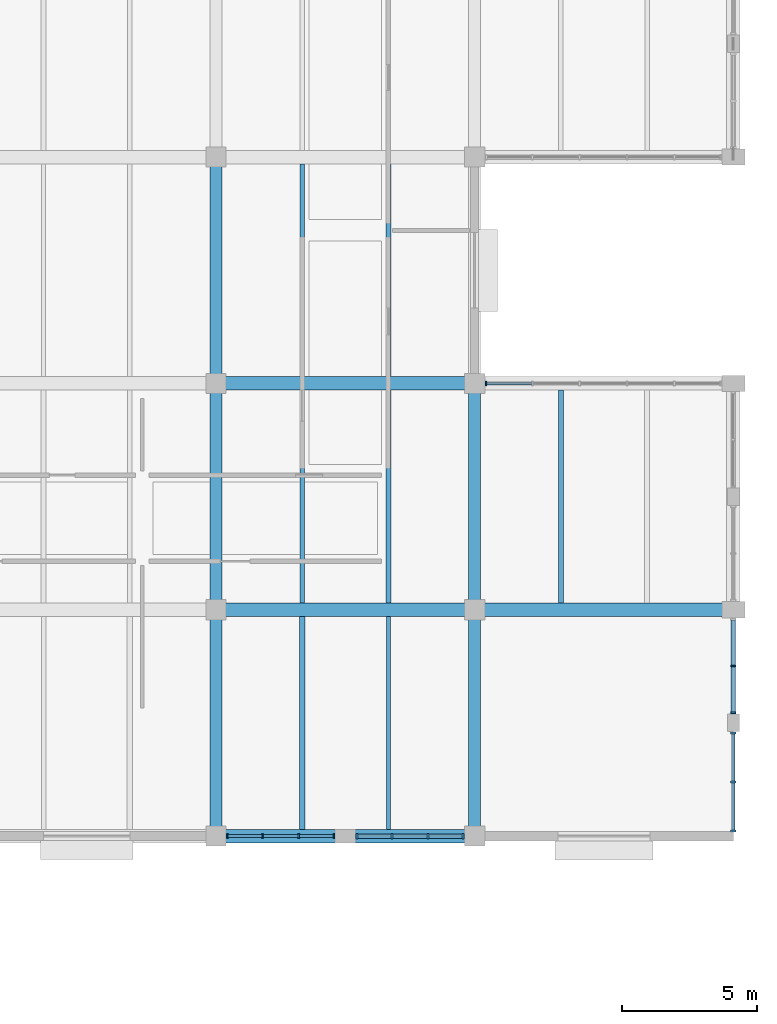
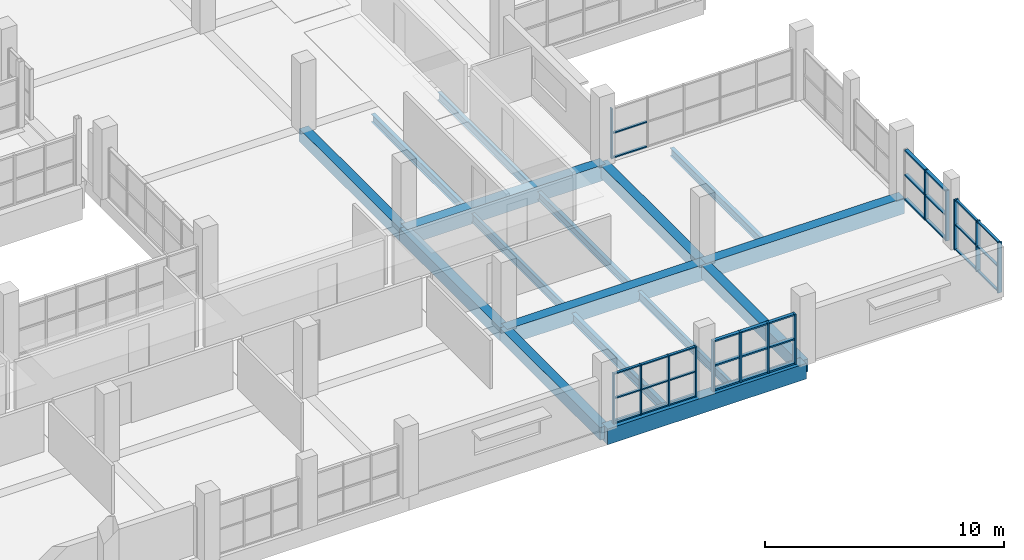
# One storey, part 68 of 147: 46 members, 16 beams, 5 elements without a shape of their own.
"""IFC4 building model written with IfcOpenShell, lengths in metres."""

import ifcopenshell
import ifcopenshell.guid

model = None  # the IFC model being written
_history = None  # IfcOwnerHistory: only IFC2X3 demands one
_inside = {}  # id of a spatial element -> (the spatial element, [elements in it])
_under = {}  # id of a project, library or spatial element -> (it, [spatial elements below it])
_declared = {}  # id of a project -> (the project, [libraries it declares])
_typed = {}  # id of a type object -> (the type object, [elements of that type])
_made_of = {}  # id of a material, layer set ... -> (it, [elements and type objects made of it])


def new_model(schema):
    """Start an empty IFC model of exactly this schema.

    Asked for "IFC4X3", IfcOpenShell would pick the latest addendum, in which some entities
    have other attributes; the version numbers below select the first issue.
    IFC2X3 requires an IfcOwnerHistory on every rooted entity: one is made here for all.
    """
    global model, _history
    if schema == "IFC4X3":
        model = ifcopenshell.file(schema_version=(4, 3, 0, 0))
    else:
        model = ifcopenshell.file(schema=schema)
    _inside.clear()
    _under.clear()
    _declared.clear()
    _typed.clear()
    _made_of.clear()
    _history = None
    if model.schema == "IFC2X3":
        org = make("IfcOrganization", Name="unknown")
        user = make(
            "IfcPersonAndOrganization",
            ThePerson=make("IfcPerson", FamilyName="unknown"),
            TheOrganization=org,
        )
        app = make(
            "IfcApplication",
            ApplicationDeveloper=org,
            Version="unknown",
            ApplicationFullName="unknown",
            ApplicationIdentifier="unknown",
        )
        _history = make(
            "IfcOwnerHistory",
            OwningUser=user,
            OwningApplication=app,
            ChangeAction="ADDED",
            CreationDate=0,
        )
    return model


def make(cls, **values):
    """One entity of the class cls with the attributes given. An attribute that is None is left unset."""
    return model.create_entity(
        cls, **{name: value for name, value in values.items() if value is not None}
    )


def rooted(cls, **values):
    """An entity with a GlobalId (a new one), such as an element, a storey or a relation."""
    return make(cls, GlobalId=ifcopenshell.guid.new(), OwnerHistory=_history, **values)


def si_unit(unit_type, name, prefix=None):
    """IfcSIUnit, for example si_unit("LENGTHUNIT", "METRE", prefix="MILLI")."""
    return make("IfcSIUnit", UnitType=unit_type, Prefix=prefix, Name=name)


def assignment(units):
    """IfcUnitAssignment: the units of a project."""
    return None if units is None else make("IfcUnitAssignment", Units=units)


def point(xyz):
    """IfcCartesianPoint."""
    return None if xyz is None else make("IfcCartesianPoint", Coordinates=xyz)


def direction(xyz):
    """IfcDirection."""
    return None if xyz is None else make("IfcDirection", DirectionRatios=xyz)


def frame(location, z_axis=None, x_axis=None):
    """IfcAxis2Placement3D, a coordinate frame: its origin and axes. An axis left out is left unset."""
    return make(
        "IfcAxis2Placement3D",
        Location=point(location),
        Axis=direction(z_axis),
        RefDirection=direction(x_axis),
    )


def frame_2d(location, x_axis=None):
    """IfcAxis2Placement2D, a coordinate frame in the plane: its origin and x axis."""
    return make(
        "IfcAxis2Placement2D", Location=point(location), RefDirection=direction(x_axis)
    )


def origin():
    """The frame at (0, 0, 0) with its axes left unset."""
    return frame((0.0, 0.0, 0.0))


def origin_2d():
    """The frame at (0, 0) in the plane with its x axis left unset."""
    return frame_2d((0.0, 0.0))


def place(relative_to, where):
    """IfcLocalPlacement: puts the frame where relative to a parent placement (None: the world)."""
    return make(
        "IfcLocalPlacement", PlacementRelTo=relative_to, RelativePlacement=where
    )


def context(
    kind, dimensions, precision=None, world=None, true_north=None, identifier=None
):
    """IfcGeometricRepresentationContext, for example the 3D "Model" context."""
    return make(
        "IfcGeometricRepresentationContext",
        ContextIdentifier=identifier,
        ContextType=kind,
        CoordinateSpaceDimension=dimensions,
        Precision=precision,
        WorldCoordinateSystem=world,
        TrueNorth=true_north,
    )


def subcontext(parent, identifier, kind, view, scale=None):
    """IfcGeometricRepresentationSubContext, for example "Body" below "Model"."""
    return make(
        "IfcGeometricRepresentationSubContext",
        ContextIdentifier=identifier,
        ContextType=kind,
        ParentContext=parent,
        TargetScale=scale,
        TargetView=view,
    )


def project(units=None, contexts=None):
    """IfcProject with its units and contexts."""
    return rooted(
        "IfcProject",
        Name="project",
        RepresentationContexts=contexts,
        UnitsInContext=assignment(units),
    )


def spatial(cls, under=None, at=None, **own):
    """A site, building, storey or space (cls), placed at a placement, below another one or the project."""
    s = rooted(cls, ObjectPlacement=at, **own)
    if under is not None:
        _under.setdefault(under.id(), (under, []))[1].append(s)
    return s


def profile(cls, at=None, kind="AREA", **sizes):
    """A parametric profile (cls). Its sizes go by their IFC names, for example OverallWidth=200.0."""
    return make(cls, ProfileType=kind, Position=at, **sizes)


def rectangle(**sizes):
    """IfcRectangleProfileDef."""
    return profile("IfcRectangleProfileDef", **sizes)


def i_section(**sizes):
    """IfcIShapeProfileDef."""
    return profile("IfcIShapeProfileDef", **sizes)


def extrude(swept, where, along, depth):
    """IfcExtrudedAreaSolid: the profile swept, set in the frame where, extruded along a direction by depth."""
    return make(
        "IfcExtrudedAreaSolid",
        SweptArea=swept,
        Position=where,
        ExtrudedDirection=direction(along),
        Depth=depth,
    )


def shape(context_of_items, identifier, shape_type, items):
    """IfcShapeRepresentation: the items that make up one representation, for example the "Body"."""
    return make(
        "IfcShapeRepresentation",
        ContextOfItems=context_of_items,
        RepresentationIdentifier=identifier,
        RepresentationType=shape_type,
        Items=items,
    )


def material(Name=None, Category=None):
    """IfcMaterial."""
    return make("IfcMaterial", Name=Name, Category=Category)


def material_profile(
    of_material, cross_section, Name=None, Category=None, Priority=None
):
    """IfcMaterialProfile: a cross section and its material."""
    return make(
        "IfcMaterialProfile",
        Name=Name,
        Material=of_material,
        Profile=cross_section,
        Priority=Priority,
        Category=Category,
    )


def profile_set(profiles, Name=None, composite=None):
    """IfcMaterialProfileSet."""
    return make(
        "IfcMaterialProfileSet",
        Name=Name,
        MaterialProfiles=profiles,
        CompositeProfile=composite,
    )


def made_of(thing, what):
    """Note that an element or type object is made of a material, layer set ...; save() writes the relation."""
    if what is not None:
        _made_of.setdefault(what.id(), (what, []))[1].append(thing)
    return thing


def type_object(cls, material=None, **own):
    """A type object (cls), such as IfcWallType, which elements share."""
    return made_of(rooted(cls, **own), material)


def element(
    cls,
    number,
    at=None,
    inside=None,
    cuts=None,
    type_object=None,
    material=None,
    context=None,
    identifier="Body",
    shape_type=None,
    held_by="IfcProductDefinitionShape",
    body=None,
    shapes=None,
    **own,
):
    """One element of the class cls, such as IfcWall. Its Tag is "e" and its number.

    at: its placement. inside: the storey or other place that contains it. cuts: it is an
    opening in that element (IfcRelVoidsElement). A single representation is given by context,
    identifier, shape_type and body (its items); several are given by shapes. held_by: the class
    of the entity that holds the representations. save() writes the other relations.
    """
    e = rooted(cls, Tag="e%d" % number, ObjectPlacement=at, **own)
    if body is not None:
        shapes = [shape(context, identifier, shape_type, body)]
    if shapes is not None:
        e.Representation = make(held_by, Representations=shapes)
    if inside is not None:
        _inside.setdefault(inside.id(), (inside, []))[1].append(e)
    if cuts is not None:
        rooted(
            "IfcRelVoidsElement", RelatingBuildingElement=cuts, RelatedOpeningElement=e
        )
    if type_object is not None:
        _typed.setdefault(type_object.id(), (type_object, []))[1].append(e)
    return made_of(e, material)


def aggregate(whole, parts):
    """IfcRelAggregates: a whole, such as a stair, and the parts it consists of."""
    return rooted("IfcRelAggregates", RelatingObject=whole, RelatedObjects=parts)


def save(model, path):
    """Write the relations noted so far, then the file.

    IfcRelAggregates (storeys below a building ...), IfcRelContainedInSpatialStructure (elements
    in a storey), IfcRelDefinesByType, IfcRelAssociatesMaterial and IfcRelDeclares: one each for
    every whole, place, type object, material and project.
    """
    for whole, parts in _under.values():
        aggregate(whole, parts)
    for where, things in _inside.values():
        rooted(
            "IfcRelContainedInSpatialStructure",
            RelatedElements=things,
            RelatingStructure=where,
        )
    for kind, things in _typed.values():
        rooted("IfcRelDefinesByType", RelatedObjects=things, RelatingType=kind)
    for what, things in _made_of.values():
        rooted("IfcRelAssociatesMaterial", RelatedObjects=things, RelatingMaterial=what)
    for by, libraries in _declared.values():
        rooted("IfcRelDeclares", RelatingContext=by, RelatedDefinitions=libraries)
    model.write(path)


model = new_model("IFC4")

# Units and contexts
model_context = context("Model", 3, precision=1e-05, world=origin(), true_north=direction((0.0, 1.0)))
body_context = subcontext(model_context, "Body", "Model", "MODEL_VIEW")
ifc_project = project(units=[si_unit("LENGTHUNIT", "METRE"), si_unit("AREAUNIT", "SQUARE_METRE"), si_unit("VOLUMEUNIT", "CUBIC_METRE"), si_unit("PLANEANGLEUNIT", "RADIAN"), si_unit("MASSUNIT", "GRAM", prefix="KILO")], contexts=[model_context])

# Site, building, storey
site_placement = place(None, origin())
site = spatial("IfcSite", under=ifc_project, at=site_placement, CompositionType="ELEMENT")
building_placement = place(site_placement, origin())
building = spatial("IfcBuilding", under=site, at=building_placement, Name="Oolite Switchyard Hospital", CompositionType="ELEMENT")
storey_placement = place(building_placement, frame((0.0, 0.0, 9.89990234375)))
storey = spatial("IfcBuildingStorey", under=building, at=storey_placement, Name="L02", CompositionType="ELEMENT", Elevation=9.89990234375)

# Beams
ifc_material_1 = material(Name="Concrete C40/50", Category="concrete")
ifc_material_profile_1 = material_profile(ifc_material_1, rectangle(XDim=0.449951171875, YDim=0.64990234375, at=origin_2d()), Name="RCB450X650")
ifc_profile_set_1 = profile_set([ifc_material_profile_1], Name="Concrete C40/50")
beam_type_1 = type_object("IfcBeamType", Name="BM-RC450X650", PredefinedType="BEAM", material=ifc_profile_set_1)
beam_1_placement = place(storey_placement, frame((192.0, 8.39990234375, -0.324951171875), z_axis=(0.0, 1.0, 0.0), x_axis=(-1.0, 0.0, 0.0)))
element("IfcBeam", 1, at=beam_1_placement, inside=storey, type_object=beam_type_1, Name="L02 Y-Girder 1479", PredefinedType="BEAM", context=body_context, shape_type="SweptSolid", body=[
    extrude(rectangle(XDim=0.449951171875, YDim=0.64990234375, at=origin_2d()), origin(), (0.0, 0.0, 1.0), 8.400146484375),
])
beam_2_placement = place(storey_placement, frame((192.0, 16.800048828125, -0.324951171875), z_axis=(0.0, 1.0, 0.0), x_axis=(-1.0, 0.0, 0.0)))
element("IfcBeam", 2, at=beam_2_placement, inside=storey, type_object=beam_type_1, Name="L02 Y-Girder 1480", PredefinedType="BEAM", context=body_context, shape_type="SweptSolid", body=[
    extrude(rectangle(XDim=0.449951171875, YDim=0.64990234375, at=origin_2d()), origin(), (0.0, 0.0, 1.0), 8.39990234375),
])
for number, where, z_axis, x_axis, name in (
    (3, (192.0, 25.199951171875, -0.324951171875), (0.0, 1.0, 0.0), (-1.0, 0.0, 0.0), "L02 Y-Girder 1481"),
    (4, (201.60009765625, 8.39990234375, -0.324951171875), (0.0, 1.0, 0.0), (-1.0, 0.0, 0.0), "L02 Y-Girder 1491"),
):
    element("IfcBeam", number, at=place(storey_placement, frame(where, z_axis=z_axis, x_axis=x_axis)), inside=storey, type_object=beam_type_1, Name=name, PredefinedType="BEAM", context=body_context, shape_type="SweptSolid", body=[
        extrude(rectangle(XDim=0.449951171875, YDim=0.64990234375, at=origin_2d()), origin(), (0.0, 0.0, 1.0), 8.400146484375),
    ])
beam_3_placement = place(storey_placement, frame((201.60009765625, 16.800048828125, -0.324951171875), z_axis=(0.0, 1.0, 0.0), x_axis=(-1.0, 0.0, 0.0)))
element("IfcBeam", 5, at=beam_3_placement, inside=storey, type_object=beam_type_1, Name="L02 Y-Girder 1492", PredefinedType="BEAM", context=body_context, shape_type="SweptSolid", body=[
    extrude(rectangle(XDim=0.449951171875, YDim=0.64990234375, at=origin_2d()), origin(), (0.0, 0.0, 1.0), 8.39990234375),
])
ifc_material_profile_2 = material_profile(ifc_material_1, rectangle(XDim=0.5, YDim=0.800048828125, at=origin_2d()), Name="RCB500X800")
ifc_profile_set_2 = profile_set([ifc_material_profile_2], Name="Concrete C40/50")
beam_type_2 = type_object("IfcBeamType", Name="BM-RC500X800", PredefinedType="BEAM", material=ifc_profile_set_2)
for number, where, z_axis, x_axis, name in (
    (6, (192.0, 8.39990234375, -0.39990234375), (1.0, 0.0, 0.0), (0.0, 1.0, 0.0), "L02 X-Girder 1003"),
    (7, (192.0, 16.800048828125, -0.39990234375), (1.0, 0.0, 0.0), (0.0, 1.0, 0.0), "L02 X-Girder 1017"),
):
    element("IfcBeam", number, at=place(storey_placement, frame(where, z_axis=z_axis, x_axis=x_axis)), inside=storey, type_object=beam_type_2, Name=name, PredefinedType="BEAM", context=body_context, shape_type="SweptSolid", body=[
        extrude(rectangle(XDim=0.5, YDim=0.800048828125, at=origin_2d()), origin(), (0.0, 0.0, 1.0), 9.60009765625),
    ])
beam_4_placement = place(storey_placement, frame((201.60009765625, 16.800048828125, -0.39990234375), z_axis=(1.0, 0.0, 0.0), x_axis=(0.0, 1.0, 0.0)))
element("IfcBeam", 8, at=beam_4_placement, inside=storey, type_object=beam_type_2, Name="L02 X-Girder 1018", PredefinedType="BEAM", context=body_context, shape_type="SweptSolid", body=[
    extrude(rectangle(XDim=0.5, YDim=0.800048828125, at=origin_2d()), origin(), (0.0, 0.0, 1.0), 9.599853515625),
])
beam_5_placement = place(storey_placement, frame((192.0, 25.199951171875, -0.39990234375), z_axis=(1.0, 0.0, 0.0), x_axis=(0.0, 1.0, 0.0)))
element("IfcBeam", 9, at=beam_5_placement, inside=storey, type_object=beam_type_2, Name="L02 X-Girder 1032", PredefinedType="BEAM", context=body_context, shape_type="SweptSolid", body=[
    extrude(rectangle(XDim=0.5, YDim=0.800048828125, at=origin_2d()), origin(), (0.0, 0.0, 1.0), 9.60009765625),
])
ifc_material_2 = material(Name="Steel ASTM A992 Grade 50", Category="steel")
ifc_material_profile_3 = material_profile(ifc_material_2, i_section(OverallWidth=0.177978515625, OverallDepth=0.403076171875, WebThickness=0.008056640625, FlangeThickness=0.010986328125, at=origin_2d()), Name="W16X36")
ifc_profile_set_3 = profile_set([ifc_material_profile_3], Name="Steel ASTM A992 Grade 50")
beam_type_3 = type_object("IfcBeamType", Name="BM-W16X36", PredefinedType="JOIST", material=ifc_profile_set_3)
beam_6_placement = place(storey_placement, frame((198.39990234375, 25.449951171875, -0.4609375), z_axis=(0.0, 1.0, 0.0), x_axis=(-1.0, 0.0, 0.0)))
element("IfcBeam", 10, at=beam_6_placement, inside=storey, type_object=beam_type_3, Name="L02 Secondary Steel Joist 1893", PredefinedType="JOIST", context=body_context, shape_type="SweptSolid", body=[
    extrude(i_section(OverallWidth=0.177978515625, OverallDepth=0.403076171875, WebThickness=0.008056640625, FlangeThickness=0.010986328125, at=origin_2d()), origin(), (0.0, 0.0, 1.0), 7.900146484375),
])
ifc_material_profile_4 = material_profile(ifc_material_2, i_section(OverallWidth=0.179931640625, OverallDepth=0.4130859375, WebThickness=0.010009765625, FlangeThickness=0.01611328125, at=origin_2d()), Name="W16X50")
ifc_profile_set_4 = profile_set([ifc_material_profile_4], Name="Steel ASTM A992 Grade 50")
beam_type_4 = type_object("IfcBeamType", Name="BM-W16X50", PredefinedType="JOIST", material=ifc_profile_set_4)
beam_7_placement = place(storey_placement, frame((198.39990234375, 17.050048828125, -0.4658203125), z_axis=(0.0, 1.0, 0.0), x_axis=(-1.0, 0.0, 0.0)))
element("IfcBeam", 11, at=beam_7_placement, inside=storey, type_object=beam_type_4, Name="L02 Secondary Steel Joist 1891", PredefinedType="JOIST", context=body_context, shape_type="SweptSolid", body=[
    extrude(i_section(OverallWidth=0.179931640625, OverallDepth=0.4130859375, WebThickness=0.010009765625, FlangeThickness=0.01611328125, at=origin_2d()), origin(), (0.0, 0.0, 1.0), 7.89990234375),
])
beam_8_placement = place(storey_placement, frame((195.199951171875, 25.449951171875, -0.4658203125), z_axis=(0.0, 1.0, 0.0), x_axis=(-1.0, 0.0, 0.0)))
element("IfcBeam", 12, at=beam_8_placement, inside=storey, type_object=beam_type_4, Name="L02 Secondary Steel Joist 1892", PredefinedType="JOIST", context=body_context, shape_type="SweptSolid", body=[
    extrude(i_section(OverallWidth=0.179931640625, OverallDepth=0.4130859375, WebThickness=0.010009765625, FlangeThickness=0.01611328125, at=origin_2d()), origin(), (0.0, 0.0, 1.0), 7.900146484375),
])
beam_9_placement = place(storey_placement, frame((204.800048828125, 17.050048828125, -0.4658203125), z_axis=(0.0, 1.0, 0.0), x_axis=(-1.0, 0.0, 0.0)))
element("IfcBeam", 13, at=beam_9_placement, inside=storey, type_object=beam_type_4, Name="L02 Secondary Steel Joist 1910", PredefinedType="JOIST", context=body_context, shape_type="SweptSolid", body=[
    extrude(i_section(OverallWidth=0.179931640625, OverallDepth=0.4130859375, WebThickness=0.010009765625, FlangeThickness=0.01611328125, at=origin_2d()), origin(), (0.0, 0.0, 1.0), 7.89990234375),
])
ifc_material_profile_5 = material_profile(ifc_material_2, i_section(OverallWidth=0.153076171875, OverallDepth=0.455078125, WebThickness=0.008056640625, FlangeThickness=0.012939453125, at=origin_2d()), Name="W18X40")
ifc_profile_set_5 = profile_set([ifc_material_profile_5], Name="Steel ASTM A992 Grade 50")
beam_type_5 = type_object("IfcBeamType", Name="BM-W18X40", PredefinedType="JOIST", material=ifc_profile_set_5)
beam_10_placement = place(storey_placement, frame((198.39990234375, 8.64990234375, -0.48681640625), z_axis=(0.0, 1.0, 0.0), x_axis=(-1.0, 0.0, 0.0)))
element("IfcBeam", 14, at=beam_10_placement, inside=storey, type_object=beam_type_5, Name="L02 Secondary Steel Joist 1889", PredefinedType="JOIST", context=body_context, shape_type="SweptSolid", body=[
    extrude(i_section(OverallWidth=0.153076171875, OverallDepth=0.455078125, WebThickness=0.008056640625, FlangeThickness=0.012939453125, at=origin_2d()), origin(), (0.0, 0.0, 1.0), 7.900146484375),
])
beam_11_placement = place(storey_placement, frame((195.199951171875, 17.050048828125, -0.48681640625), z_axis=(0.0, 1.0, 0.0), x_axis=(-1.0, 0.0, 0.0)))
element("IfcBeam", 15, at=beam_11_placement, inside=storey, type_object=beam_type_5, Name="L02 Secondary Steel Joist 1890", PredefinedType="JOIST", context=body_context, shape_type="SweptSolid", body=[
    extrude(i_section(OverallWidth=0.153076171875, OverallDepth=0.455078125, WebThickness=0.008056640625, FlangeThickness=0.012939453125, at=origin_2d()), origin(), (0.0, 0.0, 1.0), 7.89990234375),
])
ifc_material_profile_6 = material_profile(ifc_material_2, i_section(OverallWidth=0.19091796875, OverallDepth=0.4599609375, WebThickness=0.010009765625, FlangeThickness=0.01611328125, at=origin_2d()), Name="W18X55")
ifc_profile_set_6 = profile_set([ifc_material_profile_6], Name="Steel ASTM A992 Grade 50")
beam_type_6 = type_object("IfcBeamType", Name="BM-W18X55", PredefinedType="JOIST", material=ifc_profile_set_6)
beam_12_placement = place(storey_placement, frame((195.199951171875, 8.64990234375, -0.489990234375), z_axis=(0.0, 1.0, 0.0), x_axis=(-1.0, 0.0, 0.0)))
element("IfcBeam", 16, at=beam_12_placement, inside=storey, type_object=beam_type_6, Name="L02 Secondary Steel Joist 1888", PredefinedType="JOIST", context=body_context, shape_type="SweptSolid", body=[
    extrude(i_section(OverallWidth=0.19091796875, OverallDepth=0.4599609375, WebThickness=0.010009765625, FlangeThickness=0.01611328125, at=origin_2d()), origin(), (0.0, 0.0, 1.0), 7.900146484375),
])

# Curtain wall, members
ifc_material_3 = material(Name="Thermally broken aluminum frame with laminated impact glazing", Category="aluminium")
curtain_wall_type_1 = type_object("IfcCurtainWallType", Name="CW-UNIT-84X36", PredefinedType="USERDEFINED", material=ifc_material_3)
curtain_wall_1_placement = place(storey_placement, origin())
curtain_wall_1 = element("IfcCurtainWall", 17, at=curtain_wall_1_placement, inside=storey, type_object=curtain_wall_type_1, Name="L02 Unitised Curtain Wall 214", ObjectType="UNITISED", PredefinedType="USERDEFINED")
ifc_material_4 = material(Name="Aluminium 6063-T6", Category="aluminium")
ifc_material_profile_7 = material_profile(ifc_material_4, rectangle(XDim=0.159912109375, YDim=0.06005859375, at=origin_2d()), Name="CWM60X160")
ifc_profile_set_7 = profile_set([ifc_material_profile_7], Name="Aluminium 6063-T6")
member_type_1 = type_object("IfcMemberType", Name="CW-MUL-180", PredefinedType="MULLION", material=ifc_profile_set_7)
member_1_placement = place(storey_placement, frame((196.3798828125, 8.39990234375, 0.0), z_axis=(0.0, 0.0, 1.0), x_axis=(0.0, -1.0, 0.0)))
member_1 = element("IfcMember", 18, at=member_1_placement, type_object=member_type_1, Name="CW-08 mullion 1", PredefinedType="MULLION", context=body_context, shape_type="SweptSolid", body=[
    extrude(rectangle(XDim=0.159912109375, YDim=0.06005859375, at=origin_2d()), origin(), (0.0, 0.0, 1.0), 2.570068359375),
])
member_2_placement = place(storey_placement, frame((195.070068359375, 8.39990234375, 0.0), z_axis=(0.0, 0.0, 1.0), x_axis=(0.0, -1.0, 0.0)))
member_2 = element("IfcMember", 19, at=member_2_placement, type_object=member_type_1, Name="CW-08 mullion 2", PredefinedType="MULLION", context=body_context, shape_type="SweptSolid", body=[
    extrude(rectangle(XDim=0.159912109375, YDim=0.06005859375, at=origin_2d()), origin(), (0.0, 0.0, 1.0), 2.570068359375),
])
member_3_placement = place(storey_placement, frame((193.72998046875, 8.39990234375, 0.0), z_axis=(0.0, 0.0, 1.0), x_axis=(0.0, -1.0, 0.0)))
member_3 = element("IfcMember", 20, at=member_3_placement, type_object=member_type_1, Name="CW-08 mullion 3", PredefinedType="MULLION", context=body_context, shape_type="SweptSolid", body=[
    extrude(rectangle(XDim=0.159912109375, YDim=0.06005859375, at=origin_2d()), origin(), (0.0, 0.0, 1.0), 2.570068359375),
])
member_4_placement = place(storey_placement, frame((192.419921875, 8.39990234375, 0.0), z_axis=(0.0, 0.0, 1.0), x_axis=(0.0, -1.0, 0.0)))
member_4 = element("IfcMember", 21, at=member_4_placement, type_object=member_type_1, Name="CW-08 mullion 4", PredefinedType="MULLION", context=body_context, shape_type="SweptSolid", body=[
    extrude(rectangle(XDim=0.159912109375, YDim=0.06005859375, at=origin_2d()), origin(), (0.0, 0.0, 1.0), 2.570068359375),
])

# Curtain wall, member
curtain_wall_type_2 = type_object("IfcCurtainWallType", Name="CW-UNIT-96X36", PredefinedType="USERDEFINED", material=ifc_material_3)
curtain_wall_2_placement = place(storey_placement, origin())
curtain_wall_2 = element("IfcCurtainWall", 22, at=curtain_wall_2_placement, inside=storey, type_object=curtain_wall_type_2, Name="L02 Unitised Curtain Wall 220", ObjectType="UNITISED", PredefinedType="USERDEFINED")
member_5_placement = place(storey_placement, frame((202.02001953125, 25.199951171875, 0.0), z_axis=(0.0, 0.0, 1.0), x_axis=(0.0, 1.0, 0.0)))
member_5 = element("IfcMember", 23, at=member_5_placement, type_object=member_type_1, Name="CW-03 mullion 1", PredefinedType="MULLION", context=body_context, shape_type="SweptSolid", body=[
    extrude(rectangle(XDim=0.159912109375, YDim=0.06005859375, at=origin_2d()), origin(), (0.0, 0.0, 1.0), 2.570068359375),
])

# Curtain wall, members
curtain_wall_3_placement = place(storey_placement, origin())
curtain_wall_3 = element("IfcCurtainWall", 24, at=curtain_wall_3_placement, inside=storey, type_object=curtain_wall_type_1, Name="L02 Unitised Curtain Wall 311", ObjectType="UNITISED", PredefinedType="USERDEFINED")
ifc_material_profile_8 = material_profile(ifc_material_4, rectangle(XDim=0.179931640625, YDim=0.070068359375, at=origin_2d()), Name="CWM70X180")
ifc_profile_set_8 = profile_set([ifc_material_profile_8], Name="Aluminium 6063-T6")
member_type_2 = type_object("IfcMemberType", Name="CW-MUL-220", PredefinedType="MULLION", material=ifc_profile_set_8)
member_6_placement = place(storey_placement, frame((211.199951171875, 14.71240234375, 0.0), z_axis=(0.0, 0.0, 1.0), x_axis=(1.0, 0.0, 0.0)))
member_6 = element("IfcMember", 25, at=member_6_placement, type_object=member_type_2, Name="CW-08 mullion 2", PredefinedType="MULLION", context=body_context, shape_type="SweptSolid", body=[
    extrude(rectangle(XDim=0.179931640625, YDim=0.070068359375, at=origin_2d()), origin(), (0.0, 0.0, 1.0), 2.570068359375),
])
member_7_placement = place(storey_placement, frame((211.199951171875, 12.97509765625, 0.0), z_axis=(0.0, 0.0, 1.0), x_axis=(1.0, 0.0, 0.0)))
member_7 = element("IfcMember", 26, at=member_7_placement, type_object=member_type_2, Name="CW-08 mullion 3", PredefinedType="MULLION", context=body_context, shape_type="SweptSolid", body=[
    extrude(rectangle(XDim=0.179931640625, YDim=0.070068359375, at=origin_2d()), origin(), (0.0, 0.0, 1.0), 2.570068359375),
])

curtain_wall_4_placement = place(storey_placement, origin())
curtain_wall_4 = element("IfcCurtainWall", 27, at=curtain_wall_4_placement, inside=storey, type_object=curtain_wall_type_1, Name="L02 Unitised Curtain Wall 213", ObjectType="UNITISED", PredefinedType="USERDEFINED")
ifc_material_profile_9 = material_profile(ifc_material_4, rectangle(XDim=0.199951171875, YDim=0.074951171875, at=origin_2d()), Name="CWM75X200")
ifc_profile_set_9 = profile_set([ifc_material_profile_9], Name="Aluminium 6063-T6")
member_type_3 = type_object("IfcMemberType", Name="CW-MUL-260", PredefinedType="MULLION", material=ifc_profile_set_9)
member_8_placement = place(storey_placement, frame((201.172607421875, 8.39990234375, 0.0), z_axis=(0.0, 0.0, 1.0), x_axis=(0.0, -1.0, 0.0)))
member_8 = element("IfcMember", 28, at=member_8_placement, type_object=member_type_3, Name="CW-08 mullion 1", PredefinedType="MULLION", context=body_context, shape_type="SweptSolid", body=[
    extrude(rectangle(XDim=0.199951171875, YDim=0.074951171875, at=origin_2d()), origin(), (0.0, 0.0, 1.0), 2.570068359375),
])
member_9_placement = place(storey_placement, frame((199.8701171875, 8.39990234375, 0.0), z_axis=(0.0, 0.0, 1.0), x_axis=(0.0, -1.0, 0.0)))
member_9 = element("IfcMember", 29, at=member_9_placement, type_object=member_type_3, Name="CW-08 mullion 2", PredefinedType="MULLION", context=body_context, shape_type="SweptSolid", body=[
    extrude(rectangle(XDim=0.199951171875, YDim=0.074951171875, at=origin_2d()), origin(), (0.0, 0.0, 1.0), 2.570068359375),
])
member_10_placement = place(storey_placement, frame((198.530029296875, 8.39990234375, 0.0), z_axis=(0.0, 0.0, 1.0), x_axis=(0.0, -1.0, 0.0)))
member_10 = element("IfcMember", 30, at=member_10_placement, type_object=member_type_3, Name="CW-08 mullion 3", PredefinedType="MULLION", context=body_context, shape_type="SweptSolid", body=[
    extrude(rectangle(XDim=0.199951171875, YDim=0.074951171875, at=origin_2d()), origin(), (0.0, 0.0, 1.0), 2.570068359375),
])
member_11_placement = place(storey_placement, frame((197.2275390625, 8.39990234375, 0.0), z_axis=(0.0, 0.0, 1.0), x_axis=(0.0, -1.0, 0.0)))
member_11 = element("IfcMember", 31, at=member_11_placement, type_object=member_type_3, Name="CW-08 mullion 4", PredefinedType="MULLION", context=body_context, shape_type="SweptSolid", body=[
    extrude(rectangle(XDim=0.199951171875, YDim=0.074951171875, at=origin_2d()), origin(), (0.0, 0.0, 1.0), 2.570068359375),
])

curtain_wall_5_placement = place(storey_placement, origin())
curtain_wall_5 = element("IfcCurtainWall", 32, at=curtain_wall_5_placement, inside=storey, type_object=curtain_wall_type_1, Name="L02 Unitised Curtain Wall 312", ObjectType="UNITISED", PredefinedType="USERDEFINED")
member_12_placement = place(storey_placement, frame((211.199951171875, 12.222412109375, 0.0), z_axis=(0.0, 0.0, 1.0), x_axis=(1.0, 0.0, 0.0)))
member_12 = element("IfcMember", 33, at=member_12_placement, type_object=member_type_3, Name="CW-08 mullion 1", PredefinedType="MULLION", context=body_context, shape_type="SweptSolid", body=[
    extrude(rectangle(XDim=0.199951171875, YDim=0.074951171875, at=origin_2d()), origin(), (0.0, 0.0, 1.0), 2.570068359375),
])
member_13_placement = place(storey_placement, frame((211.199951171875, 10.409912109375, 0.0), z_axis=(0.0, 0.0, 1.0), x_axis=(1.0, 0.0, 0.0)))
member_13 = element("IfcMember", 34, at=member_13_placement, type_object=member_type_3, Name="CW-08 mullion 2", PredefinedType="MULLION", context=body_context, shape_type="SweptSolid", body=[
    extrude(rectangle(XDim=0.199951171875, YDim=0.074951171875, at=origin_2d()), origin(), (0.0, 0.0, 1.0), 2.570068359375),
])
member_14_placement = place(storey_placement, frame((211.199951171875, 8.597412109375, 0.0), z_axis=(0.0, 0.0, 1.0), x_axis=(1.0, 0.0, 0.0)))
member_14 = element("IfcMember", 35, at=member_14_placement, type_object=member_type_3, Name="CW-08 mullion 3", PredefinedType="MULLION", context=body_context, shape_type="SweptSolid", body=[
    extrude(rectangle(XDim=0.199951171875, YDim=0.074951171875, at=origin_2d()), origin(), (0.0, 0.0, 1.0), 2.570068359375),
])

# Member
ifc_material_profile_10 = material_profile(ifc_material_4, rectangle(XDim=0.1201171875, YDim=0.06005859375, at=origin_2d()), Name="CWT60X120")
ifc_profile_set_10 = profile_set([ifc_material_profile_10], Name="Aluminium 6063-T6")
member_type_4 = type_object("IfcMemberType", Name="CW-TRN-150", PredefinedType="USERDEFINED", material=ifc_profile_set_10)
member_15_placement = place(storey_placement, frame((196.35009765625, 8.39990234375, 0.030029296875), z_axis=(-1.0, 0.0, 0.0), x_axis=(0.0, -1.0, 0.0)))
member_15 = element("IfcMember", 36, at=member_15_placement, type_object=member_type_4, Name="CW-08 transom 1.1", ObjectType="TRANSOM", PredefinedType="USERDEFINED", context=body_context, shape_type="SweptSolid", body=[
    extrude(rectangle(XDim=0.1201171875, YDim=0.06005859375, at=origin_2d()), origin(), (0.0, 0.0, 1.0), 1.25),
])

member_16_placement = place(storey_placement, frame((196.35009765625, 8.39990234375, 1.28515625), z_axis=(-1.0, 0.0, 0.0), x_axis=(0.0, -1.0, 0.0)))
member_16 = element("IfcMember", 37, at=member_16_placement, type_object=member_type_4, Name="CW-08 transom 1.2", ObjectType="TRANSOM", PredefinedType="USERDEFINED", context=body_context, shape_type="SweptSolid", body=[
    extrude(rectangle(XDim=0.1201171875, YDim=0.06005859375, at=origin_2d()), origin(), (0.0, 0.0, 1.0), 1.25),
])

member_17_placement = place(storey_placement, frame((196.35009765625, 8.39990234375, 2.5400390625), z_axis=(-1.0, 0.0, 0.0), x_axis=(0.0, -1.0, 0.0)))
member_17 = element("IfcMember", 38, at=member_17_placement, type_object=member_type_4, Name="CW-08 transom 1.3", ObjectType="TRANSOM", PredefinedType="USERDEFINED", context=body_context, shape_type="SweptSolid", body=[
    extrude(rectangle(XDim=0.1201171875, YDim=0.06005859375, at=origin_2d()), origin(), (0.0, 0.0, 1.0), 1.25),
])

member_18_placement = place(storey_placement, frame((195.0400390625, 8.39990234375, 0.030029296875), z_axis=(-1.0, 0.0, 0.0), x_axis=(0.0, -1.0, 0.0)))
member_18 = element("IfcMember", 39, at=member_18_placement, type_object=member_type_4, Name="CW-08 transom 2.1", ObjectType="TRANSOM", PredefinedType="USERDEFINED", context=body_context, shape_type="SweptSolid", body=[
    extrude(rectangle(XDim=0.1201171875, YDim=0.06005859375, at=origin_2d()), origin(), (0.0, 0.0, 1.0), 1.280029296875),
])

member_19_placement = place(storey_placement, frame((195.0400390625, 8.39990234375, 1.28515625), z_axis=(-1.0, 0.0, 0.0), x_axis=(0.0, -1.0, 0.0)))
member_19 = element("IfcMember", 40, at=member_19_placement, type_object=member_type_4, Name="CW-08 transom 2.2", ObjectType="TRANSOM", PredefinedType="USERDEFINED", context=body_context, shape_type="SweptSolid", body=[
    extrude(rectangle(XDim=0.1201171875, YDim=0.06005859375, at=origin_2d()), origin(), (0.0, 0.0, 1.0), 1.280029296875),
])

member_20_placement = place(storey_placement, frame((195.0400390625, 8.39990234375, 2.5400390625), z_axis=(-1.0, 0.0, 0.0), x_axis=(0.0, -1.0, 0.0)))
member_20 = element("IfcMember", 41, at=member_20_placement, type_object=member_type_4, Name="CW-08 transom 2.3", ObjectType="TRANSOM", PredefinedType="USERDEFINED", context=body_context, shape_type="SweptSolid", body=[
    extrude(rectangle(XDim=0.1201171875, YDim=0.06005859375, at=origin_2d()), origin(), (0.0, 0.0, 1.0), 1.280029296875),
])

member_21_placement = place(storey_placement, frame((193.699951171875, 8.39990234375, 0.030029296875), z_axis=(-1.0, 0.0, 0.0), x_axis=(0.0, -1.0, 0.0)))
member_21 = element("IfcMember", 42, at=member_21_placement, type_object=member_type_4, Name="CW-08 transom 3.1", ObjectType="TRANSOM", PredefinedType="USERDEFINED", context=body_context, shape_type="SweptSolid", body=[
    extrude(rectangle(XDim=0.1201171875, YDim=0.06005859375, at=origin_2d()), origin(), (0.0, 0.0, 1.0), 1.25),
])

member_22_placement = place(storey_placement, frame((193.699951171875, 8.39990234375, 1.28515625), z_axis=(-1.0, 0.0, 0.0), x_axis=(0.0, -1.0, 0.0)))
member_22 = element("IfcMember", 43, at=member_22_placement, type_object=member_type_4, Name="CW-08 transom 3.2", ObjectType="TRANSOM", PredefinedType="USERDEFINED", context=body_context, shape_type="SweptSolid", body=[
    extrude(rectangle(XDim=0.1201171875, YDim=0.06005859375, at=origin_2d()), origin(), (0.0, 0.0, 1.0), 1.25),
])

member_23_placement = place(storey_placement, frame((193.699951171875, 8.39990234375, 2.5400390625), z_axis=(-1.0, 0.0, 0.0), x_axis=(0.0, -1.0, 0.0)))
member_23 = element("IfcMember", 44, at=member_23_placement, type_object=member_type_4, Name="CW-08 transom 3.3", ObjectType="TRANSOM", PredefinedType="USERDEFINED", context=body_context, shape_type="SweptSolid", body=[
    extrude(rectangle(XDim=0.1201171875, YDim=0.06005859375, at=origin_2d()), origin(), (0.0, 0.0, 1.0), 1.25),
])

aggregate(curtain_wall_1, [member_1, member_2, member_3, member_4, member_15, member_16, member_17, member_18, member_19, member_20, member_21, member_22, member_23])

member_24_placement = place(storey_placement, frame((202.050048828125, 25.199951171875, 0.030029296875), z_axis=(1.0, 0.0, 0.0), x_axis=(0.0, 1.0, 0.0)))
member_24 = element("IfcMember", 45, at=member_24_placement, type_object=member_type_4, Name="CW-03 transom 1.1", ObjectType="TRANSOM", PredefinedType="USERDEFINED", context=body_context, shape_type="SweptSolid", body=[
    extrude(rectangle(XDim=0.1201171875, YDim=0.06005859375, at=origin_2d()), origin(), (0.0, 0.0, 1.0), 1.6640625),
])

member_25_placement = place(storey_placement, frame((202.050048828125, 25.199951171875, 1.28515625), z_axis=(1.0, 0.0, 0.0), x_axis=(0.0, 1.0, 0.0)))
member_25 = element("IfcMember", 46, at=member_25_placement, type_object=member_type_4, Name="CW-03 transom 1.2", ObjectType="TRANSOM", PredefinedType="USERDEFINED", context=body_context, shape_type="SweptSolid", body=[
    extrude(rectangle(XDim=0.1201171875, YDim=0.06005859375, at=origin_2d()), origin(), (0.0, 0.0, 1.0), 1.6640625),
])

aggregate(curtain_wall_2, [member_5, member_24, member_25])

member_26_placement = place(storey_placement, frame((211.199951171875, 12.18505859375, 0.030029296875), z_axis=(0.0, -1.0, 0.0), x_axis=(1.0, 0.0, 0.0)))
member_26 = element("IfcMember", 47, at=member_26_placement, type_object=member_type_4, Name="CW-08 transom 1.1", ObjectType="TRANSOM", PredefinedType="USERDEFINED", context=body_context, shape_type="SweptSolid", body=[
    extrude(rectangle(XDim=0.1201171875, YDim=0.06005859375, at=origin_2d()), origin(), (0.0, 0.0, 1.0), 1.737548828125),
])

member_27_placement = place(storey_placement, frame((211.199951171875, 12.18505859375, 1.28515625), z_axis=(0.0, -1.0, 0.0), x_axis=(1.0, 0.0, 0.0)))
member_27 = element("IfcMember", 48, at=member_27_placement, type_object=member_type_4, Name="CW-08 transom 1.2", ObjectType="TRANSOM", PredefinedType="USERDEFINED", context=body_context, shape_type="SweptSolid", body=[
    extrude(rectangle(XDim=0.1201171875, YDim=0.06005859375, at=origin_2d()), origin(), (0.0, 0.0, 1.0), 1.737548828125),
])

member_28_placement = place(storey_placement, frame((211.199951171875, 12.18505859375, 2.5400390625), z_axis=(0.0, -1.0, 0.0), x_axis=(1.0, 0.0, 0.0)))
member_28 = element("IfcMember", 49, at=member_28_placement, type_object=member_type_4, Name="CW-08 transom 1.3", ObjectType="TRANSOM", PredefinedType="USERDEFINED", context=body_context, shape_type="SweptSolid", body=[
    extrude(rectangle(XDim=0.1201171875, YDim=0.06005859375, at=origin_2d()), origin(), (0.0, 0.0, 1.0), 1.737548828125),
])

member_29_placement = place(storey_placement, frame((211.199951171875, 10.37255859375, 0.030029296875), z_axis=(0.0, -1.0, 0.0), x_axis=(1.0, 0.0, 0.0)))
member_29 = element("IfcMember", 50, at=member_29_placement, type_object=member_type_4, Name="CW-08 transom 2.1", ObjectType="TRANSOM", PredefinedType="USERDEFINED", context=body_context, shape_type="SweptSolid", body=[
    extrude(rectangle(XDim=0.1201171875, YDim=0.06005859375, at=origin_2d()), origin(), (0.0, 0.0, 1.0), 1.737548828125),
])

member_30_placement = place(storey_placement, frame((211.199951171875, 10.37255859375, 1.28515625), z_axis=(0.0, -1.0, 0.0), x_axis=(1.0, 0.0, 0.0)))
member_30 = element("IfcMember", 51, at=member_30_placement, type_object=member_type_4, Name="CW-08 transom 2.2", ObjectType="TRANSOM", PredefinedType="USERDEFINED", context=body_context, shape_type="SweptSolid", body=[
    extrude(rectangle(XDim=0.1201171875, YDim=0.06005859375, at=origin_2d()), origin(), (0.0, 0.0, 1.0), 1.737548828125),
])

member_31_placement = place(storey_placement, frame((211.199951171875, 10.37255859375, 2.5400390625), z_axis=(0.0, -1.0, 0.0), x_axis=(1.0, 0.0, 0.0)))
member_31 = element("IfcMember", 52, at=member_31_placement, type_object=member_type_4, Name="CW-08 transom 2.3", ObjectType="TRANSOM", PredefinedType="USERDEFINED", context=body_context, shape_type="SweptSolid", body=[
    extrude(rectangle(XDim=0.1201171875, YDim=0.06005859375, at=origin_2d()), origin(), (0.0, 0.0, 1.0), 1.737548828125),
])

aggregate(curtain_wall_5, [member_12, member_13, member_14, member_26, member_27, member_28, member_29, member_30, member_31])

ifc_material_profile_11 = material_profile(ifc_material_4, rectangle(XDim=0.159912109375, YDim=0.074951171875, at=origin_2d()), Name="CWT75X160")
ifc_profile_set_11 = profile_set([ifc_material_profile_11], Name="Aluminium 6063-T6")
member_type_5 = type_object("IfcMemberType", Name="CW-TRN-180", PredefinedType="USERDEFINED", material=ifc_profile_set_11)
member_32_placement = place(storey_placement, frame((201.135009765625, 8.39990234375, 0.03759765625), z_axis=(-1.0, 0.0, 0.0), x_axis=(0.0, -1.0, 0.0)))
member_32 = element("IfcMember", 53, at=member_32_placement, type_object=member_type_5, Name="CW-08 transom 1.1", ObjectType="TRANSOM", PredefinedType="USERDEFINED", context=body_context, shape_type="SweptSolid", body=[
    extrude(rectangle(XDim=0.159912109375, YDim=0.074951171875, at=origin_2d()), origin(), (0.0, 0.0, 1.0), 1.2275390625),
])

member_33_placement = place(storey_placement, frame((201.135009765625, 8.39990234375, 1.28515625), z_axis=(-1.0, 0.0, 0.0), x_axis=(0.0, -1.0, 0.0)))
member_33 = element("IfcMember", 54, at=member_33_placement, type_object=member_type_5, Name="CW-08 transom 1.2", ObjectType="TRANSOM", PredefinedType="USERDEFINED", context=body_context, shape_type="SweptSolid", body=[
    extrude(rectangle(XDim=0.159912109375, YDim=0.074951171875, at=origin_2d()), origin(), (0.0, 0.0, 1.0), 1.2275390625),
])

member_34_placement = place(storey_placement, frame((201.135009765625, 8.39990234375, 2.53271484375), z_axis=(-1.0, 0.0, 0.0), x_axis=(0.0, -1.0, 0.0)))
member_34 = element("IfcMember", 55, at=member_34_placement, type_object=member_type_5, Name="CW-08 transom 1.3", ObjectType="TRANSOM", PredefinedType="USERDEFINED", context=body_context, shape_type="SweptSolid", body=[
    extrude(rectangle(XDim=0.159912109375, YDim=0.074951171875, at=origin_2d()), origin(), (0.0, 0.0, 1.0), 1.2275390625),
])

member_35_placement = place(storey_placement, frame((199.83251953125, 8.39990234375, 0.03759765625), z_axis=(-1.0, 0.0, 0.0), x_axis=(0.0, -1.0, 0.0)))
member_35 = element("IfcMember", 56, at=member_35_placement, type_object=member_type_5, Name="CW-08 transom 2.1", ObjectType="TRANSOM", PredefinedType="USERDEFINED", context=body_context, shape_type="SweptSolid", body=[
    extrude(rectangle(XDim=0.159912109375, YDim=0.074951171875, at=origin_2d()), origin(), (0.0, 0.0, 1.0), 1.26513671875),
])

member_36_placement = place(storey_placement, frame((199.83251953125, 8.39990234375, 1.28515625), z_axis=(-1.0, 0.0, 0.0), x_axis=(0.0, -1.0, 0.0)))
member_36 = element("IfcMember", 57, at=member_36_placement, type_object=member_type_5, Name="CW-08 transom 2.2", ObjectType="TRANSOM", PredefinedType="USERDEFINED", context=body_context, shape_type="SweptSolid", body=[
    extrude(rectangle(XDim=0.159912109375, YDim=0.074951171875, at=origin_2d()), origin(), (0.0, 0.0, 1.0), 1.26513671875),
])

member_37_placement = place(storey_placement, frame((199.83251953125, 8.39990234375, 2.53271484375), z_axis=(-1.0, 0.0, 0.0), x_axis=(0.0, -1.0, 0.0)))
member_37 = element("IfcMember", 58, at=member_37_placement, type_object=member_type_5, Name="CW-08 transom 2.3", ObjectType="TRANSOM", PredefinedType="USERDEFINED", context=body_context, shape_type="SweptSolid", body=[
    extrude(rectangle(XDim=0.159912109375, YDim=0.074951171875, at=origin_2d()), origin(), (0.0, 0.0, 1.0), 1.26513671875),
])

member_38_placement = place(storey_placement, frame((198.492431640625, 8.39990234375, 0.03759765625), z_axis=(-1.0, 0.0, 0.0), x_axis=(0.0, -1.0, 0.0)))
member_38 = element("IfcMember", 59, at=member_38_placement, type_object=member_type_5, Name="CW-08 transom 3.1", ObjectType="TRANSOM", PredefinedType="USERDEFINED", context=body_context, shape_type="SweptSolid", body=[
    extrude(rectangle(XDim=0.159912109375, YDim=0.074951171875, at=origin_2d()), origin(), (0.0, 0.0, 1.0), 1.2275390625),
])

member_39_placement = place(storey_placement, frame((198.492431640625, 8.39990234375, 1.28515625), z_axis=(-1.0, 0.0, 0.0), x_axis=(0.0, -1.0, 0.0)))
member_39 = element("IfcMember", 60, at=member_39_placement, type_object=member_type_5, Name="CW-08 transom 3.2", ObjectType="TRANSOM", PredefinedType="USERDEFINED", context=body_context, shape_type="SweptSolid", body=[
    extrude(rectangle(XDim=0.159912109375, YDim=0.074951171875, at=origin_2d()), origin(), (0.0, 0.0, 1.0), 1.2275390625),
])

member_40_placement = place(storey_placement, frame((198.492431640625, 8.39990234375, 2.53271484375), z_axis=(-1.0, 0.0, 0.0), x_axis=(0.0, -1.0, 0.0)))
member_40 = element("IfcMember", 61, at=member_40_placement, type_object=member_type_5, Name="CW-08 transom 3.3", ObjectType="TRANSOM", PredefinedType="USERDEFINED", context=body_context, shape_type="SweptSolid", body=[
    extrude(rectangle(XDim=0.159912109375, YDim=0.074951171875, at=origin_2d()), origin(), (0.0, 0.0, 1.0), 1.2275390625),
])

aggregate(curtain_wall_4, [member_8, member_9, member_10, member_11, member_32, member_33, member_34, member_35, member_36, member_37, member_38, member_39, member_40])

member_41_placement = place(storey_placement, frame((211.199951171875, 16.4150390625, 0.03759765625), z_axis=(0.0, -1.0, 0.0), x_axis=(1.0, 0.0, 0.0)))
member_41 = element("IfcMember", 62, at=member_41_placement, type_object=member_type_5, Name="CW-08 transom 1.1", ObjectType="TRANSOM", PredefinedType="USERDEFINED", context=body_context, shape_type="SweptSolid", body=[
    extrude(rectangle(XDim=0.159912109375, YDim=0.074951171875, at=origin_2d()), origin(), (0.0, 0.0, 1.0), 1.66748046875),
])

member_42_placement = place(storey_placement, frame((211.199951171875, 16.4150390625, 1.28515625), z_axis=(0.0, -1.0, 0.0), x_axis=(1.0, 0.0, 0.0)))
member_42 = element("IfcMember", 63, at=member_42_placement, type_object=member_type_5, Name="CW-08 transom 1.2", ObjectType="TRANSOM", PredefinedType="USERDEFINED", context=body_context, shape_type="SweptSolid", body=[
    extrude(rectangle(XDim=0.159912109375, YDim=0.074951171875, at=origin_2d()), origin(), (0.0, 0.0, 1.0), 1.66748046875),
])

member_43_placement = place(storey_placement, frame((211.199951171875, 16.4150390625, 2.53271484375), z_axis=(0.0, -1.0, 0.0), x_axis=(1.0, 0.0, 0.0)))
member_43 = element("IfcMember", 64, at=member_43_placement, type_object=member_type_5, Name="CW-08 transom 1.3", ObjectType="TRANSOM", PredefinedType="USERDEFINED", context=body_context, shape_type="SweptSolid", body=[
    extrude(rectangle(XDim=0.159912109375, YDim=0.074951171875, at=origin_2d()), origin(), (0.0, 0.0, 1.0), 1.66748046875),
])

member_44_placement = place(storey_placement, frame((211.199951171875, 14.677490234375, 0.03759765625), z_axis=(0.0, -1.0, 0.0), x_axis=(1.0, 0.0, 0.0)))
member_44 = element("IfcMember", 65, at=member_44_placement, type_object=member_type_5, Name="CW-08 transom 2.1", ObjectType="TRANSOM", PredefinedType="USERDEFINED", context=body_context, shape_type="SweptSolid", body=[
    extrude(rectangle(XDim=0.159912109375, YDim=0.074951171875, at=origin_2d()), origin(), (0.0, 0.0, 1.0), 1.66748046875),
])

member_45_placement = place(storey_placement, frame((211.199951171875, 14.677490234375, 1.28515625), z_axis=(0.0, -1.0, 0.0), x_axis=(1.0, 0.0, 0.0)))
member_45 = element("IfcMember", 66, at=member_45_placement, type_object=member_type_5, Name="CW-08 transom 2.2", ObjectType="TRANSOM", PredefinedType="USERDEFINED", context=body_context, shape_type="SweptSolid", body=[
    extrude(rectangle(XDim=0.159912109375, YDim=0.074951171875, at=origin_2d()), origin(), (0.0, 0.0, 1.0), 1.66748046875),
])

member_46_placement = place(storey_placement, frame((211.199951171875, 14.677490234375, 2.53271484375), z_axis=(0.0, -1.0, 0.0), x_axis=(1.0, 0.0, 0.0)))
member_46 = element("IfcMember", 67, at=member_46_placement, type_object=member_type_5, Name="CW-08 transom 2.3", ObjectType="TRANSOM", PredefinedType="USERDEFINED", context=body_context, shape_type="SweptSolid", body=[
    extrude(rectangle(XDim=0.159912109375, YDim=0.074951171875, at=origin_2d()), origin(), (0.0, 0.0, 1.0), 1.66748046875),
])

aggregate(curtain_wall_3, [member_6, member_7, member_41, member_42, member_43, member_44, member_45, member_46])

save(model, "model.ifc")
